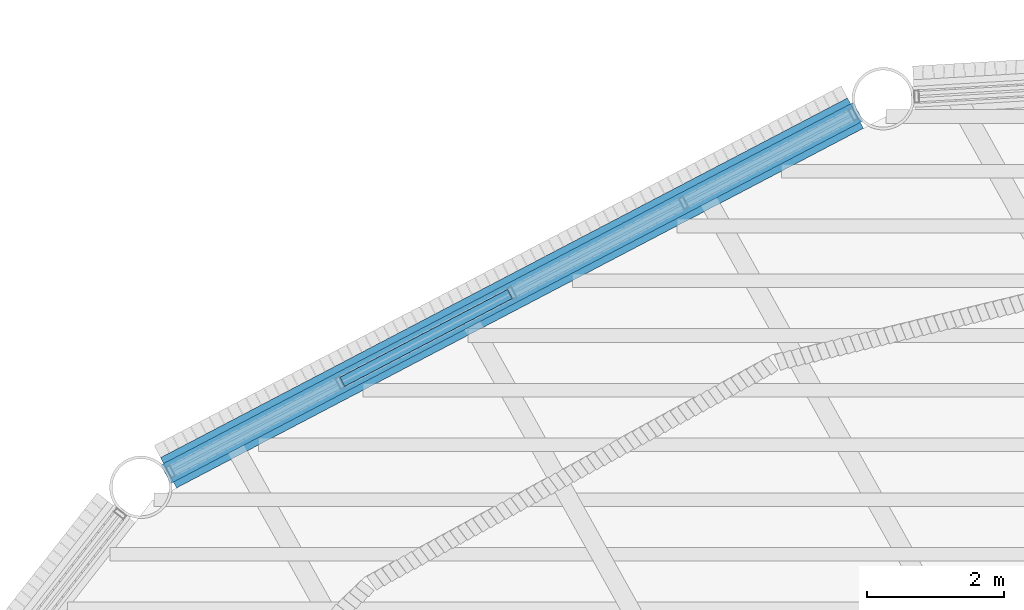
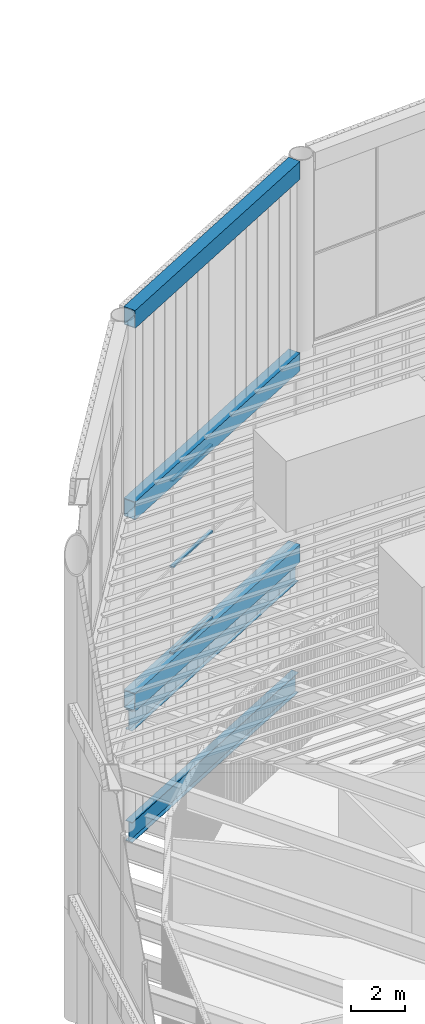
# One storey, part 48 of 117: 5 beams, 3 members, 1 element without a shape of its own.
"""IFC4 building model written with IfcOpenShell, lengths in metres."""

from ifc_helpers import new_model, si_unit, direction, frame, origin, origin_2d, place, context, subcontext, project, spatial, hollow_rectangle, i_section, extrude, material, layer, layer_set, material_profile, profile_set, type_object, element, aggregate, save


model = new_model("IFC4")

# Units and contexts
model_context = context("Model", 3, precision=1e-05, world=origin(), true_north=direction((0.0, 1.0)))
body_context = subcontext(model_context, "Body", "Model", "MODEL_VIEW")
ifc_project = project(units=[si_unit("LENGTHUNIT", "METRE"), si_unit("AREAUNIT", "SQUARE_METRE"), si_unit("VOLUMEUNIT", "CUBIC_METRE"), si_unit("PLANEANGLEUNIT", "RADIAN"), si_unit("MASSUNIT", "GRAM", prefix="KILO")], contexts=[model_context])

# Site, building, storey
site_placement = place(None, origin())
site = spatial("IfcSite", under=ifc_project, at=site_placement, CompositionType="ELEMENT")
building_placement = place(site_placement, origin())
building = spatial("IfcBuilding", under=site, at=building_placement, Name="Tarsis Ring Headquarters", CompositionType="ELEMENT")
storey_placement = place(building_placement, frame((0.0, 0.0, 403.60009765625)))
storey = spatial("IfcBuildingStorey", under=building, at=storey_placement, Name="L95", CompositionType="ELEMENT", Elevation=403.60009765625)

# Beams
ifc_material_1 = material(Name="Structural steel S355", Category="steel")
ifc_material_profile_1 = material_profile(ifc_material_1, hollow_rectangle(XDim=0.5, YDim=0.800048828125, WallThickness=0.030029296875, at=origin_2d()), Name="RHS 800x500x30")
ifc_profile_set_1 = profile_set([ifc_material_profile_1], Name="Structural steel S355")
beam_type_1 = type_object("IfcBeamType", Name="Crown frame ring beam RHS 800x500x30", PredefinedType="BEAM", material=ifc_profile_set_1)
for number, where, z_axis, x_axis, name in (
    (1, (-8.1494140625, 27.78515625, 5.39990234375), (-0.885931849884, -0.463815434586, 0.0), (0.463815434586, -0.885931849884, 0.0), "Crown frame ring beam R11"),
    (2, (-8.1494140625, 27.78515625, 14.0), (-0.885931849884, -0.463815434586, 0.0), (0.463815434586, -0.885931849884, 0.0), "Crown frame ring beam M11"),
    (3, (-8.1494140625, 27.78515625, 22.599853515625), (-0.885931849884, -0.463815434586, 0.0), (0.463815434586, -0.885931849884, 0.0), "Crown frame ring beam T11"),
):
    element("IfcBeam", number, at=place(storey_placement, frame(where, z_axis=z_axis, x_axis=x_axis)), inside=storey, type_object=beam_type_1, Name=name, PredefinedType="BEAM", context=body_context, shape_type="SweptSolid", body=[
        extrude(hollow_rectangle(XDim=0.5, YDim=0.800048828125, WallThickness=0.030029296875, at=origin_2d()), origin(), (0.0, 0.0, 1.0), 11.3349609375),
    ])

# Curtain wall, members
ifc_material_2 = material(Name="Aluminium curtain wall", Category="aluminium")
ifc_layer = layer(ifc_material_2, 0.179931640625)
ifc_layer_set = layer_set([ifc_layer], Name="Curtain wall crown glazing")
curtain_wall_type = type_object("IfcCurtainWallType", Name="Curtain wall crown glazing", PredefinedType="NOTDEFINED", material=ifc_layer_set)
curtain_wall_placement = place(storey_placement, origin())
curtain_wall = element("IfcCurtainWall", 4, at=curtain_wall_placement, inside=storey, type_object=curtain_wall_type, Name="Crown glazing L11", PredefinedType="NOTDEFINED")
ifc_material_3 = material(Name="Aluminium transom", Category="aluminium")
ifc_material_profile_2 = material_profile(ifc_material_3, hollow_rectangle(XDim=0.14990234375, YDim=0.070068359375, WallThickness=0.0048828125, at=origin_2d()), Name="RHS 150x70x5")
ifc_profile_set_2 = profile_set([ifc_material_profile_2], Name="Aluminium transom")
member_type = type_object("IfcMemberType", Name="Crown glazing transom RHS 150x70x5", PredefinedType="USERDEFINED", material=ifc_profile_set_2)
member_1_placement = place(storey_placement, frame((-13.201416015625, 25.140380859375, 5.8349609375), z_axis=(-0.885914512263, -0.463848549595, 0.0), x_axis=(0.463848549595, -0.885914512263, 0.0)))
member_1 = element("IfcMember", 5, at=member_1_placement, type_object=member_type, Name="CW-C transom 3.1", ObjectType="TRANSOM", PredefinedType="USERDEFINED", context=body_context, shape_type="SweptSolid", body=[
    extrude(hollow_rectangle(XDim=0.14990234375, YDim=0.070068359375, WallThickness=0.0048828125, at=origin_2d()), origin(), (0.0, 0.0, 1.0), 2.763916015625),
])
member_2_placement = place(storey_placement, frame((-13.201416015625, 25.140380859375, 9.699951171875), z_axis=(-0.885914512263, -0.463848549595, 0.0), x_axis=(0.463848549595, -0.885914512263, 0.0)))
member_2 = element("IfcMember", 6, at=member_2_placement, type_object=member_type, Name="CW-C transom 3.2", ObjectType="TRANSOM", PredefinedType="USERDEFINED", context=body_context, shape_type="SweptSolid", body=[
    extrude(hollow_rectangle(XDim=0.14990234375, YDim=0.070068359375, WallThickness=0.0048828125, at=origin_2d()), origin(), (0.0, 0.0, 1.0), 2.763916015625),
])
member_3_placement = place(storey_placement, frame((-13.201416015625, 25.140380859375, 13.56494140625), z_axis=(-0.885914512263, -0.463848549595, 0.0), x_axis=(0.463848549595, -0.885914512263, 0.0)))
member_3 = element("IfcMember", 7, at=member_3_placement, type_object=member_type, Name="CW-C transom 3.3", ObjectType="TRANSOM", PredefinedType="USERDEFINED", context=body_context, shape_type="SweptSolid", body=[
    extrude(hollow_rectangle(XDim=0.14990234375, YDim=0.070068359375, WallThickness=0.0048828125, at=origin_2d()), origin(), (0.0, 0.0, 1.0), 2.763916015625),
])
aggregate(curtain_wall, [member_1, member_2, member_3])

# Beams
ifc_material_profile_3 = material_profile(ifc_material_1, i_section(OverallWidth=0.3046875, OverallDepth=0.904296875, WebThickness=0.01513671875, FlangeThickness=0.02001953125, at=origin_2d()), Name="W36x135")
ifc_profile_set_3 = profile_set([ifc_material_profile_3], Name="Structural steel S355")
beam_type_2 = type_object("IfcBeamType", Name="XG Ring girder W36x135", PredefinedType="BEAM", material=ifc_profile_set_3)
for number, where, z_axis, x_axis, name in (
    (8, (-8.109130859375, 27.80615234375, -0.4521484375), (-0.885938577236, -0.463802584475, 0.0), (0.463802584475, -0.885938577236, 0.0), "Ring girder XG5"),
    (9, (-8.109130859375, 27.80615234375, 4.5478515625), (-0.885938577236, -0.463802584475, 0.0), (0.463802584475, -0.885938577236, 0.0), "Ring girder XG5"),
):
    element("IfcBeam", number, at=place(storey_placement, frame(where, z_axis=z_axis, x_axis=x_axis)), inside=storey, type_object=beam_type_2, Name=name, PredefinedType="BEAM", context=body_context, shape_type="SweptSolid", body=[
        extrude(i_section(OverallWidth=0.3046875, OverallDepth=0.904296875, WebThickness=0.01513671875, FlangeThickness=0.02001953125, at=origin_2d()), origin(), (0.0, 0.0, 1.0), 11.42578125),
    ])

save(model, "model.ifc")
